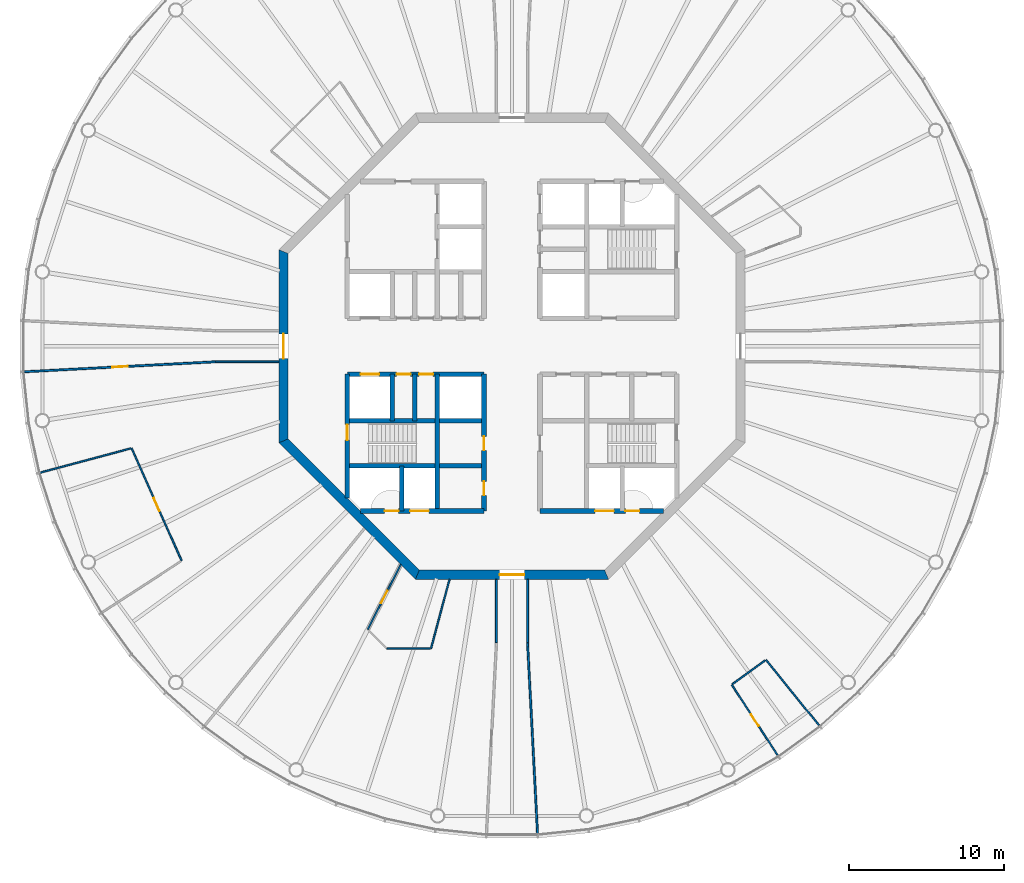
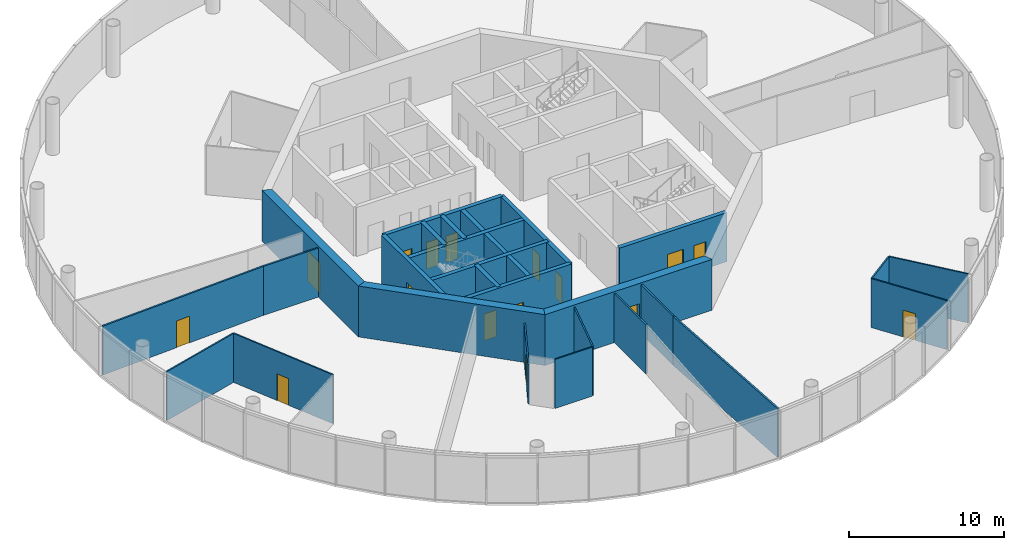
# One storey, part 3 of 13: 27 walls, 16 doors, 16 openings.
"""IFC4 building model written with IfcOpenShell, lengths in metres."""

import ifcopenshell
import ifcopenshell.guid

model = None  # the IFC model being written
_history = None  # IfcOwnerHistory: only IFC2X3 demands one
_inside = {}  # id of a spatial element -> (the spatial element, [elements in it])
_under = {}  # id of a project, library or spatial element -> (it, [spatial elements below it])
_declared = {}  # id of a project -> (the project, [libraries it declares])
_typed = {}  # id of a type object -> (the type object, [elements of that type])
_made_of = {}  # id of a material, layer set ... -> (it, [elements and type objects made of it])


def new_model(schema):
    """Start an empty IFC model of exactly this schema.

    Asked for "IFC4X3", IfcOpenShell would pick the latest addendum, in which some entities
    have other attributes; the version numbers below select the first issue.
    IFC2X3 requires an IfcOwnerHistory on every rooted entity: one is made here for all.
    """
    global model, _history
    if schema == "IFC4X3":
        model = ifcopenshell.file(schema_version=(4, 3, 0, 0))
    else:
        model = ifcopenshell.file(schema=schema)
    _inside.clear()
    _under.clear()
    _declared.clear()
    _typed.clear()
    _made_of.clear()
    _history = None
    if model.schema == "IFC2X3":
        org = make("IfcOrganization", Name="unknown")
        user = make(
            "IfcPersonAndOrganization",
            ThePerson=make("IfcPerson", FamilyName="unknown"),
            TheOrganization=org,
        )
        app = make(
            "IfcApplication",
            ApplicationDeveloper=org,
            Version="unknown",
            ApplicationFullName="unknown",
            ApplicationIdentifier="unknown",
        )
        _history = make(
            "IfcOwnerHistory",
            OwningUser=user,
            OwningApplication=app,
            ChangeAction="ADDED",
            CreationDate=0,
        )
    return model


def make(cls, **values):
    """One entity of the class cls with the attributes given. An attribute that is None is left unset."""
    return model.create_entity(
        cls, **{name: value for name, value in values.items() if value is not None}
    )


def rooted(cls, **values):
    """An entity with a GlobalId (a new one), such as an element, a storey or a relation."""
    return make(cls, GlobalId=ifcopenshell.guid.new(), OwnerHistory=_history, **values)


def si_unit(unit_type, name, prefix=None):
    """IfcSIUnit, for example si_unit("LENGTHUNIT", "METRE", prefix="MILLI")."""
    return make("IfcSIUnit", UnitType=unit_type, Prefix=prefix, Name=name)


def assignment(units):
    """IfcUnitAssignment: the units of a project."""
    return None if units is None else make("IfcUnitAssignment", Units=units)


def point(xyz):
    """IfcCartesianPoint."""
    return None if xyz is None else make("IfcCartesianPoint", Coordinates=xyz)


def direction(xyz):
    """IfcDirection."""
    return None if xyz is None else make("IfcDirection", DirectionRatios=xyz)


def frame(location, z_axis=None, x_axis=None):
    """IfcAxis2Placement3D, a coordinate frame: its origin and axes. An axis left out is left unset."""
    return make(
        "IfcAxis2Placement3D",
        Location=point(location),
        Axis=direction(z_axis),
        RefDirection=direction(x_axis),
    )


def frame_2d(location, x_axis=None):
    """IfcAxis2Placement2D, a coordinate frame in the plane: its origin and x axis."""
    return make(
        "IfcAxis2Placement2D", Location=point(location), RefDirection=direction(x_axis)
    )


def origin():
    """The frame at (0, 0, 0) with its axes left unset."""
    return frame((0.0, 0.0, 0.0))


def place(relative_to, where):
    """IfcLocalPlacement: puts the frame where relative to a parent placement (None: the world)."""
    return make(
        "IfcLocalPlacement", PlacementRelTo=relative_to, RelativePlacement=where
    )


def context(
    kind, dimensions, precision=None, world=None, true_north=None, identifier=None
):
    """IfcGeometricRepresentationContext, for example the 3D "Model" context."""
    return make(
        "IfcGeometricRepresentationContext",
        ContextIdentifier=identifier,
        ContextType=kind,
        CoordinateSpaceDimension=dimensions,
        Precision=precision,
        WorldCoordinateSystem=world,
        TrueNorth=true_north,
    )


def subcontext(parent, identifier, kind, view, scale=None):
    """IfcGeometricRepresentationSubContext, for example "Body" below "Model"."""
    return make(
        "IfcGeometricRepresentationSubContext",
        ContextIdentifier=identifier,
        ContextType=kind,
        ParentContext=parent,
        TargetScale=scale,
        TargetView=view,
    )


def project(units=None, contexts=None):
    """IfcProject with its units and contexts."""
    return rooted(
        "IfcProject",
        Name="project",
        RepresentationContexts=contexts,
        UnitsInContext=assignment(units),
    )


def spatial(cls, under=None, at=None, **own):
    """A site, building, storey or space (cls), placed at a placement, below another one or the project."""
    s = rooted(cls, ObjectPlacement=at, **own)
    if under is not None:
        _under.setdefault(under.id(), (under, []))[1].append(s)
    return s


def polyline(points):
    """IfcPolyline through the points."""
    return make("IfcPolyline", Points=[point(p) for p in points])


def profile(cls, at=None, kind="AREA", **sizes):
    """A parametric profile (cls). Its sizes go by their IFC names, for example OverallWidth=200.0."""
    return make(cls, ProfileType=kind, Position=at, **sizes)


def rectangle(**sizes):
    """IfcRectangleProfileDef."""
    return profile("IfcRectangleProfileDef", **sizes)


def outline(outer, holes=None, kind="AREA"):
    """IfcArbitraryClosedProfileDef: a profile drawn as a closed curve; with holes, ...WithVoids."""
    if holes is None:
        return make("IfcArbitraryClosedProfileDef", ProfileType=kind, OuterCurve=outer)
    return make(
        "IfcArbitraryProfileDefWithVoids",
        ProfileType=kind,
        OuterCurve=outer,
        InnerCurves=holes,
    )


def extrude(swept, where, along, depth):
    """IfcExtrudedAreaSolid: the profile swept, set in the frame where, extruded along a direction by depth."""
    return make(
        "IfcExtrudedAreaSolid",
        SweptArea=swept,
        Position=where,
        ExtrudedDirection=direction(along),
        Depth=depth,
    )


def shape(context_of_items, identifier, shape_type, items):
    """IfcShapeRepresentation: the items that make up one representation, for example the "Body"."""
    return make(
        "IfcShapeRepresentation",
        ContextOfItems=context_of_items,
        RepresentationIdentifier=identifier,
        RepresentationType=shape_type,
        Items=items,
    )


def material(Name=None, Category=None):
    """IfcMaterial."""
    return make("IfcMaterial", Name=Name, Category=Category)


def layer(
    of_material, thickness, ventilated=None, Name=None, Category=None, Priority=None
):
    """IfcMaterialLayer: one layer of a wall or slab, of a material (None: an air gap)."""
    return make(
        "IfcMaterialLayer",
        Material=of_material,
        LayerThickness=thickness,
        IsVentilated=ventilated,
        Name=Name,
        Category=Category,
        Priority=Priority,
    )


def layer_set(layers, Name=None):
    """IfcMaterialLayerSet."""
    return make("IfcMaterialLayerSet", MaterialLayers=layers, LayerSetName=Name)


def made_of(thing, what):
    """Note that an element or type object is made of a material, layer set ...; save() writes the relation."""
    if what is not None:
        _made_of.setdefault(what.id(), (what, []))[1].append(thing)
    return thing


def type_object(cls, material=None, **own):
    """A type object (cls), such as IfcWallType, which elements share."""
    return made_of(rooted(cls, **own), material)


def element(
    cls,
    number,
    at=None,
    inside=None,
    cuts=None,
    type_object=None,
    material=None,
    context=None,
    identifier="Body",
    shape_type=None,
    held_by="IfcProductDefinitionShape",
    body=None,
    shapes=None,
    **own,
):
    """One element of the class cls, such as IfcWall. Its Tag is "e" and its number.

    at: its placement. inside: the storey or other place that contains it. cuts: it is an
    opening in that element (IfcRelVoidsElement). A single representation is given by context,
    identifier, shape_type and body (its items); several are given by shapes. held_by: the class
    of the entity that holds the representations. save() writes the other relations.
    """
    e = rooted(cls, Tag="e%d" % number, ObjectPlacement=at, **own)
    if body is not None:
        shapes = [shape(context, identifier, shape_type, body)]
    if shapes is not None:
        e.Representation = make(held_by, Representations=shapes)
    if inside is not None:
        _inside.setdefault(inside.id(), (inside, []))[1].append(e)
    if cuts is not None:
        rooted(
            "IfcRelVoidsElement", RelatingBuildingElement=cuts, RelatedOpeningElement=e
        )
    if type_object is not None:
        _typed.setdefault(type_object.id(), (type_object, []))[1].append(e)
    return made_of(e, material)


def fill(opening, filler):
    """IfcRelFillsElement: the door or window that sits in an opening."""
    return rooted(
        "IfcRelFillsElement",
        RelatingOpeningElement=opening,
        RelatedBuildingElement=filler,
    )


def aggregate(whole, parts):
    """IfcRelAggregates: a whole, such as a stair, and the parts it consists of."""
    return rooted("IfcRelAggregates", RelatingObject=whole, RelatedObjects=parts)


def save(model, path):
    """Write the relations noted so far, then the file.

    IfcRelAggregates (storeys below a building ...), IfcRelContainedInSpatialStructure (elements
    in a storey), IfcRelDefinesByType, IfcRelAssociatesMaterial and IfcRelDeclares: one each for
    every whole, place, type object, material and project.
    """
    for whole, parts in _under.values():
        aggregate(whole, parts)
    for where, things in _inside.values():
        rooted(
            "IfcRelContainedInSpatialStructure",
            RelatedElements=things,
            RelatingStructure=where,
        )
    for kind, things in _typed.values():
        rooted("IfcRelDefinesByType", RelatedObjects=things, RelatingType=kind)
    for what, things in _made_of.values():
        rooted("IfcRelAssociatesMaterial", RelatedObjects=things, RelatingMaterial=what)
    for by, libraries in _declared.values():
        rooted("IfcRelDeclares", RelatingContext=by, RelatedDefinitions=libraries)
    model.write(path)


model = new_model("IFC4")

# Units and contexts
model_context = context("Model", 3, precision=1e-05, world=origin(), true_north=direction((0.0, 1.0)))
body_context = subcontext(model_context, "Body", "Model", "MODEL_VIEW")
ifc_project = project(units=[si_unit("LENGTHUNIT", "METRE"), si_unit("AREAUNIT", "SQUARE_METRE"), si_unit("VOLUMEUNIT", "CUBIC_METRE"), si_unit("PLANEANGLEUNIT", "RADIAN"), si_unit("MASSUNIT", "GRAM", prefix="KILO")], contexts=[model_context])

# Site, building, storey
site_placement = place(None, origin())
site = spatial("IfcSite", under=ifc_project, at=site_placement, CompositionType="ELEMENT")
building_placement = place(site_placement, origin())
building = spatial("IfcBuilding", under=site, at=building_placement, Name="Entoto Ring Tower", CompositionType="ELEMENT")
storey_placement = place(building_placement, frame((0.0, 0.0, 380.0)))
storey = spatial("IfcBuildingStorey", under=building, at=storey_placement, Name="L88", CompositionType="ELEMENT", Elevation=380.0)

# Wall, openings, doors
ifc_material_1 = material(Name="Concrete C40/50", Category="concrete")
ifc_layer_1 = layer(ifc_material_1, 0.300048828125)
ifc_layer_set_1 = layer_set([ifc_layer_1], Name="Concrete C40/50")
wall_type_1 = type_object("IfcWallType", Name="Core enclosure wall 300 mm reinforced concrete", PredefinedType="SOLIDWALL", material=ifc_layer_set_1)
wall_1_placement = place(storey_placement, frame((88.199951171875, 69.39990234375, 0.0), z_axis=(0.0, 0.0, 1.0), x_axis=(0.0, 1.0, 0.0)))
wall_1 = element("IfcWall", 1, at=wall_1_placement, inside=storey, type_object=wall_type_1, Name="wall-L88-010", PredefinedType="SOLIDWALL", context=body_context, shape_type="SweptSolid", body=[
    extrude(rectangle(XDim=8.800048828125, YDim=0.300048828125, at=frame_2d((4.39990234375, 0.0))), origin(), (0.0, 0.0, 1.0), 3.85009765625),
])
opening_1_placement = place(wall_1_placement, frame((3.89990234375, 0.0, 0.0)))
opening_1 = element("IfcOpeningElement", 2, at=opening_1_placement, cuts=wall_1, Name="Opening K-21", PredefinedType="OPENING", context=body_context, shape_type="SweptSolid", body=[
    extrude(rectangle(XDim=0.89990234375, YDim=2.10009765625, at=frame_2d((0.449951171875, 1.050048828125))), frame((0.0, 0.16015625, 0.0), z_axis=(0.0, -1.0, 0.0), x_axis=(1.0, 0.0, 0.0)), (0.0, 0.0, 1.0), 0.320068359375),
])
opening_2_placement = place(wall_1_placement, frame((1.0, 0.0, 0.0)))
opening_2 = element("IfcOpeningElement", 3, at=opening_2_placement, cuts=wall_1, Name="Opening K-69", PredefinedType="OPENING", context=body_context, shape_type="SweptSolid", body=[
    extrude(rectangle(XDim=0.89990234375, YDim=2.10009765625, at=frame_2d((0.449951171875, 1.050048828125))), frame((0.0, 0.16015625, 0.0), z_axis=(0.0, -1.0, 0.0), x_axis=(1.0, 0.0, 0.0)), (0.0, 0.0, 1.0), 0.320068359375),
])
ifc_material_2 = material(Name="Steel door leaf, fire rated", Category="steel")
ifc_layer_2 = layer(ifc_material_2, 0.050048828125)
ifc_layer_set_2 = layer_set([ifc_layer_2], Name="Steel door leaf, fire rated")
door_type_1 = type_object("IfcDoorType", Name="Core door 900 x 2100 single leaf", OperationType="NOTDEFINED", PredefinedType="DOOR", material=ifc_layer_set_2)
door_1_placement = place(opening_1_placement, origin())
door_1 = element("IfcDoor", 4, at=door_1_placement, inside=storey, type_object=door_type_1, Name="Door K-21", OperationType="SINGLE_SWING_RIGHT", OverallHeight=2.10009765625, OverallWidth=0.89990234375, PredefinedType="DOOR", context=body_context, shape_type="SweptSolid", body=[
    extrude(rectangle(XDim=0.89990234375, YDim=2.10009765625, at=frame_2d((0.449951171875, 1.050048828125))), frame((0.0, 0.02490234375, 0.0), z_axis=(0.0, -1.0, 0.0), x_axis=(1.0, 0.0, 0.0)), (0.0, 0.0, 1.0), 0.050048828125),
])
fill(opening_1, door_1)
door_2_placement = place(opening_2_placement, origin())
door_2 = element("IfcDoor", 5, at=door_2_placement, inside=storey, type_object=door_type_1, Name="Door K-69", OperationType="SINGLE_SWING_RIGHT", OverallHeight=2.10009765625, OverallWidth=0.89990234375, PredefinedType="DOOR", context=body_context, shape_type="SweptSolid", body=[
    extrude(rectangle(XDim=0.89990234375, YDim=2.10009765625, at=frame_2d((0.449951171875, 1.050048828125))), frame((0.0, 0.02490234375, 0.0), z_axis=(0.0, -1.0, 0.0), x_axis=(1.0, 0.0, 0.0)), (0.0, 0.0, 1.0), 0.050048828125),
])
fill(opening_2, door_2)

# Walls
wall_2_placement = place(storey_placement, frame((85.199951171875, 69.39990234375, 0.0), z_axis=(0.0, 0.0, 1.0), x_axis=(0.0, 1.0, 0.0)))
element("IfcWall", 6, at=wall_2_placement, inside=storey, type_object=wall_type_1, Name="wall-L88-013", PredefinedType="SOLIDWALL", context=body_context, shape_type="SweptSolid", body=[
    extrude(rectangle(XDim=8.800048828125, YDim=0.300048828125, at=frame_2d((4.39990234375, 0.0))), origin(), (0.0, 0.0, 1.0), 3.85009765625),
])
wall_3_placement = place(storey_placement, frame((83.75, 75.199951171875, 0.0), z_axis=(0.0, 0.0, 1.0), x_axis=(0.0, 1.0, 0.0)))
element("IfcWall", 7, at=wall_3_placement, inside=storey, type_object=wall_type_1, Name="wall-L88-015", PredefinedType="SOLIDWALL", context=body_context, shape_type="SweptSolid", body=[
    extrude(rectangle(XDim=3.0, YDim=0.300048828125, at=frame_2d((1.5, 0.0))), origin(), (0.0, 0.0, 1.0), 3.85009765625),
])
wall_4_placement = place(storey_placement, frame((82.89990234375, 69.39990234375, 0.0), z_axis=(0.0, 0.0, 1.0), x_axis=(0.0, 1.0, 0.0)))
element("IfcWall", 8, at=wall_4_placement, inside=storey, type_object=wall_type_1, Name="wall-L88-017", PredefinedType="SOLIDWALL", context=body_context, shape_type="SweptSolid", body=[
    extrude(rectangle(XDim=2.900146484375, YDim=0.300048828125, at=frame_2d((1.4501953125, 0.0))), origin(), (0.0, 0.0, 1.0), 3.85009765625),
])
wall_5_placement = place(storey_placement, frame((82.300048828125, 75.199951171875, 0.0), z_axis=(0.0, 0.0, 1.0), x_axis=(0.0, 1.0, 0.0)))
element("IfcWall", 9, at=wall_5_placement, inside=storey, type_object=wall_type_1, Name="wall-L88-018", PredefinedType="SOLIDWALL", context=body_context, shape_type="SweptSolid", body=[
    extrude(rectangle(XDim=3.0, YDim=0.300048828125, at=frame_2d((1.5, 0.0))), origin(), (0.0, 0.0, 1.0), 3.85009765625),
])

# Wall, opening, door
wall_6_placement = place(storey_placement, frame((79.39990234375, 70.2353515625, 0.0), z_axis=(0.0, 0.0, 1.0), x_axis=(0.0, 1.0, 0.0)))
wall_6 = element("IfcWall", 10, at=wall_6_placement, inside=storey, type_object=wall_type_1, Name="wall-L88-020", PredefinedType="SOLIDWALL", context=body_context, shape_type="SweptSolid", body=[
    extrude(rectangle(XDim=7.964599609375, YDim=0.300048828125, at=frame_2d((3.982421875, 0.0))), origin(), (0.0, 0.0, 1.0), 3.85009765625),
])
opening_3_placement = place(wall_6_placement, frame((3.714599609375, 0.0, 0.0)))
opening_3 = element("IfcOpeningElement", 11, at=opening_3_placement, cuts=wall_6, Name="Opening K-27", PredefinedType="OPENING", context=body_context, shape_type="SweptSolid", body=[
    extrude(rectangle(XDim=1.0, YDim=2.10009765625, at=frame_2d((0.5, 1.050048828125))), frame((0.0, 0.16015625, 0.0), z_axis=(0.0, -1.0, 0.0), x_axis=(1.0, 0.0, 0.0)), (0.0, 0.0, 1.0), 0.320068359375),
])
ifc_material_3 = material(Name="Steel door leaf, fire rated", Category="steel")
ifc_layer_3 = layer(ifc_material_3, 0.050048828125)
ifc_layer_set_3 = layer_set([ifc_layer_3], Name="Steel door leaf, fire rated")
door_type_2 = type_object("IfcDoorType", Name="Fire door FD60 1000 x 2100 single leaf", OperationType="NOTDEFINED", PredefinedType="DOOR", material=ifc_layer_set_3)
door_3_placement = place(opening_3_placement, frame((1.0, 0.0, 0.0), z_axis=(0.0, 0.0, 1.0), x_axis=(-1.0, 0.0, 0.0)))
door_3 = element("IfcDoor", 12, at=door_3_placement, inside=storey, type_object=door_type_2, Name="Door K-27", OperationType="SINGLE_SWING_LEFT", OverallHeight=2.10009765625, OverallWidth=1.0, PredefinedType="DOOR", context=body_context, shape_type="SweptSolid", body=[
    extrude(rectangle(XDim=1.0, YDim=2.10009765625, at=frame_2d((0.5, 1.050048828125))), frame((0.0, 0.02490234375, 0.0), z_axis=(0.0, -1.0, 0.0), x_axis=(1.0, 0.0, 0.0)), (0.0, 0.0, 1.0), 0.050048828125),
])
fill(opening_3, door_3)

# Wall, openings, doors
wall_7_placement = place(storey_placement, frame((80.2353515625, 69.39990234375, 0.0), z_axis=(0.0, 0.0, 1.0), x_axis=(1.0, 0.0, 0.0)))
wall_7 = element("IfcWall", 13, at=wall_7_placement, inside=storey, type_object=wall_type_1, Name="wall-L88-022", PredefinedType="SOLIDWALL", context=body_context, shape_type="SweptSolid", body=[
    extrude(rectangle(XDim=7.964599609375, YDim=0.300048828125, at=frame_2d((3.982421875, 0.0))), origin(), (0.0, 0.0, 1.0), 3.85009765625),
])
opening_4_placement = place(wall_7_placement, frame((3.214599609375, 0.0, 0.0)))
opening_4 = element("IfcOpeningElement", 14, at=opening_4_placement, cuts=wall_7, Name="Opening LD", PredefinedType="OPENING", context=body_context, shape_type="SweptSolid", body=[
    extrude(rectangle(XDim=1.199951171875, YDim=2.10009765625, at=frame_2d((0.60009765625, 1.050048828125))), frame((0.0, 0.16015625, 0.0), z_axis=(0.0, -1.0, 0.0), x_axis=(1.0, 0.0, 0.0)), (0.0, 0.0, 1.0), 0.320068359375),
])
opening_5_placement = place(wall_7_placement, frame((1.564697265625, 0.0, 0.0)))
opening_5 = element("IfcOpeningElement", 15, at=opening_5_placement, cuts=wall_7, Name="Opening K-84", PredefinedType="OPENING", context=body_context, shape_type="SweptSolid", body=[
    extrude(rectangle(XDim=0.89990234375, YDim=2.10009765625, at=frame_2d((0.449951171875, 1.050048828125))), frame((0.0, 0.16015625, 0.0), z_axis=(0.0, -1.0, 0.0), x_axis=(1.0, 0.0, 0.0)), (0.0, 0.0, 1.0), 0.320068359375),
])
ifc_material_4 = material(Name="Steel and glass door leaf", Category="steel")
ifc_layer_4 = layer(ifc_material_4, 0.050048828125)
ifc_layer_set_4 = layer_set([ifc_layer_4], Name="Steel and glass door leaf")
door_type_3 = type_object("IfcDoorType", Name="Landing door 1200 x 2100 sliding", OperationType="DOUBLE_DOOR_SLIDING", PredefinedType="DOOR", material=ifc_layer_set_4)
door_4_placement = place(opening_4_placement, origin())
door_4 = element("IfcDoor", 16, at=door_4_placement, inside=storey, type_object=door_type_3, Name="Landing door LB3-HR", OperationType="SLIDING_TO_RIGHT", OverallHeight=2.10009765625, OverallWidth=1.199951171875, PredefinedType="DOOR", context=body_context, shape_type="SweptSolid", body=[
    extrude(rectangle(XDim=1.199951171875, YDim=2.10009765625, at=frame_2d((0.60009765625, 1.050048828125))), frame((0.0, 0.02490234375, 0.0), z_axis=(0.0, -1.0, 0.0), x_axis=(1.0, 0.0, 0.0)), (0.0, 0.0, 1.0), 0.050048828125),
])
fill(opening_4, door_4)
ifc_material_5 = material(Name="Steel door leaf, fire rated", Category="steel")
ifc_layer_5 = layer(ifc_material_5, 0.050048828125)
ifc_layer_set_5 = layer_set([ifc_layer_5], Name="Steel door leaf, fire rated")
door_type_4 = type_object("IfcDoorType", Name="Riser door FD60 900 x 2100 single leaf", OperationType="NOTDEFINED", PredefinedType="DOOR", material=ifc_layer_set_5)
door_5_placement = place(opening_5_placement, origin())
door_5 = element("IfcDoor", 17, at=door_5_placement, inside=storey, type_object=door_type_4, Name="Door K-84", OperationType="SINGLE_SWING_RIGHT", OverallHeight=2.10009765625, OverallWidth=0.89990234375, PredefinedType="DOOR", context=body_context, shape_type="SweptSolid", body=[
    extrude(rectangle(XDim=0.89990234375, YDim=2.10009765625, at=frame_2d((0.449951171875, 1.050048828125))), frame((0.0, 0.02490234375, 0.0), z_axis=(0.0, -1.0, 0.0), x_axis=(1.0, 0.0, 0.0)), (0.0, 0.0, 1.0), 0.050048828125),
])
fill(opening_5, door_5)

wall_8_placement = place(storey_placement, frame((91.800048828125, 69.39990234375, 0.0), z_axis=(0.0, 0.0, 1.0), x_axis=(1.0, 0.0, 0.0)))
wall_8 = element("IfcWall", 18, at=wall_8_placement, inside=storey, type_object=wall_type_1, Name="wall-L88-023", PredefinedType="SOLIDWALL", context=body_context, shape_type="SweptSolid", body=[
    extrude(rectangle(XDim=7.964599609375, YDim=0.300048828125, at=frame_2d((3.982421875, 0.0))), origin(), (0.0, 0.0, 1.0), 3.85009765625),
])
opening_6_placement = place(wall_8_placement, frame((3.550048828125, 0.0, 0.0)))
opening_6 = element("IfcOpeningElement", 19, at=opening_6_placement, cuts=wall_8, Name="Opening LD", PredefinedType="OPENING", context=body_context, shape_type="SweptSolid", body=[
    extrude(rectangle(XDim=1.199951171875, YDim=2.10009765625, at=frame_2d((0.60009765625, 1.050048828125))), frame((0.0, 0.16015625, 0.0), z_axis=(0.0, -1.0, 0.0), x_axis=(1.0, 0.0, 0.0)), (0.0, 0.0, 1.0), 0.320068359375),
])
opening_7_placement = place(wall_8_placement, frame((5.5, 0.0, 0.0)))
opening_7 = element("IfcOpeningElement", 20, at=opening_7_placement, cuts=wall_8, Name="Opening K-85", PredefinedType="OPENING", context=body_context, shape_type="SweptSolid", body=[
    extrude(rectangle(XDim=0.89990234375, YDim=2.10009765625, at=frame_2d((0.449951171875, 1.050048828125))), frame((0.0, 0.16015625, 0.0), z_axis=(0.0, -1.0, 0.0), x_axis=(1.0, 0.0, 0.0)), (0.0, 0.0, 1.0), 0.320068359375),
])
door_6_placement = place(opening_6_placement, origin())
door_6 = element("IfcDoor", 21, at=door_6_placement, inside=storey, type_object=door_type_3, Name="Landing door LB2-HR", OperationType="SLIDING_TO_RIGHT", OverallHeight=2.10009765625, OverallWidth=1.199951171875, PredefinedType="DOOR", context=body_context, shape_type="SweptSolid", body=[
    extrude(rectangle(XDim=1.199951171875, YDim=2.10009765625, at=frame_2d((0.60009765625, 1.050048828125))), frame((0.0, 0.02490234375, 0.0), z_axis=(0.0, -1.0, 0.0), x_axis=(1.0, 0.0, 0.0)), (0.0, 0.0, 1.0), 0.050048828125),
])
fill(opening_6, door_6)
door_7_placement = place(opening_7_placement, origin())
door_7 = element("IfcDoor", 22, at=door_7_placement, inside=storey, type_object=door_type_4, Name="Door K-85", OperationType="SINGLE_SWING_LEFT", OverallHeight=2.10009765625, OverallWidth=0.89990234375, PredefinedType="DOOR", context=body_context, shape_type="SweptSolid", body=[
    extrude(rectangle(XDim=0.89990234375, YDim=2.10009765625, at=frame_2d((0.449951171875, 1.050048828125))), frame((0.0, 0.02490234375, 0.0), z_axis=(0.0, -1.0, 0.0), x_axis=(1.0, 0.0, 0.0)), (0.0, 0.0, 1.0), 0.050048828125),
])
fill(opening_7, door_7)

# Walls
for number, where, z_axis, x_axis, name in (
    (23, (79.39990234375, 72.300048828125, 0.0), (0.0, 0.0, 1.0), (1.0, 0.0, 0.0), "wall-L88-024"),
    (24, (79.39990234375, 75.199951171875, 0.0), (0.0, 0.0, 1.0), (1.0, 0.0, 0.0), "wall-L88-026"),
):
    element("IfcWall", number, at=place(storey_placement, frame(where, z_axis=z_axis, x_axis=x_axis)), inside=storey, type_object=wall_type_1, Name=name, PredefinedType="SOLIDWALL", context=body_context, shape_type="SweptSolid", body=[
        extrude(rectangle(XDim=8.800048828125, YDim=0.300048828125, at=frame_2d((4.39990234375, 0.0))), origin(), (0.0, 0.0, 1.0), 3.85009765625),
    ])

# Wall, openings, doors
wall_9_placement = place(storey_placement, frame((79.39990234375, 78.199951171875, 0.0), z_axis=(0.0, 0.0, 1.0), x_axis=(1.0, 0.0, 0.0)))
wall_9 = element("IfcWall", 25, at=wall_9_placement, inside=storey, type_object=wall_type_1, Name="wall-L88-028", PredefinedType="SOLIDWALL", context=body_context, shape_type="SweptSolid", body=[
    extrude(rectangle(XDim=8.800048828125, YDim=0.300048828125, at=frame_2d((4.39990234375, 0.0))), origin(), (0.0, 0.0, 1.0), 3.85009765625),
])
opening_8_placement = place(wall_9_placement, frame((0.85009765625, 0.0, 0.0)))
opening_8 = element("IfcOpeningElement", 26, at=opening_8_placement, cuts=wall_9, Name="Opening LD", PredefinedType="OPENING", context=body_context, shape_type="SweptSolid", body=[
    extrude(rectangle(XDim=1.199951171875, YDim=2.10009765625, at=frame_2d((0.60009765625, 1.050048828125))), frame((0.0, 0.16015625, 0.0), z_axis=(0.0, -1.0, 0.0), x_axis=(1.0, 0.0, 0.0)), (0.0, 0.0, 1.0), 0.320068359375),
])
opening_9_placement = place(wall_9_placement, frame((3.175048828125, 0.0, 0.0)))
opening_9 = element("IfcOpeningElement", 27, at=opening_9_placement, cuts=wall_9, Name="Opening K-16", PredefinedType="OPENING", context=body_context, shape_type="SweptSolid", body=[
    extrude(rectangle(XDim=0.89990234375, YDim=2.10009765625, at=frame_2d((0.449951171875, 1.050048828125))), frame((0.0, 0.16015625, 0.0), z_axis=(0.0, -1.0, 0.0), x_axis=(1.0, 0.0, 0.0)), (0.0, 0.0, 1.0), 0.320068359375),
])
opening_10_placement = place(wall_9_placement, frame((4.625, 0.0, 0.0)))
opening_10 = element("IfcOpeningElement", 28, at=opening_10_placement, cuts=wall_9, Name="Opening K-57", PredefinedType="OPENING", context=body_context, shape_type="SweptSolid", body=[
    extrude(rectangle(XDim=0.89990234375, YDim=2.10009765625, at=frame_2d((0.449951171875, 1.050048828125))), frame((0.0, 0.16015625, 0.0), z_axis=(0.0, -1.0, 0.0), x_axis=(1.0, 0.0, 0.0)), (0.0, 0.0, 1.0), 0.320068359375),
])
door_8_placement = place(opening_9_placement, frame((0.89990234375, 0.0, 0.0), z_axis=(0.0, 0.0, 1.0), x_axis=(-1.0, 0.0, 0.0)))
door_8 = element("IfcDoor", 29, at=door_8_placement, inside=storey, type_object=door_type_1, Name="Door K-16", OperationType="SINGLE_SWING_LEFT", OverallHeight=2.10009765625, OverallWidth=0.89990234375, PredefinedType="DOOR", context=body_context, shape_type="SweptSolid", body=[
    extrude(rectangle(XDim=0.89990234375, YDim=2.10009765625, at=frame_2d((0.449951171875, 1.050048828125))), frame((0.0, 0.02490234375, 0.0), z_axis=(0.0, -1.0, 0.0), x_axis=(1.0, 0.0, 0.0)), (0.0, 0.0, 1.0), 0.050048828125),
])
fill(opening_9, door_8)
door_9_placement = place(opening_10_placement, frame((0.89990234375, 0.0, 0.0), z_axis=(0.0, 0.0, 1.0), x_axis=(-1.0, 0.0, 0.0)))
door_9 = element("IfcDoor", 30, at=door_9_placement, inside=storey, type_object=door_type_1, Name="Door K-57", OperationType="SINGLE_SWING_LEFT", OverallHeight=2.10009765625, OverallWidth=0.89990234375, PredefinedType="DOOR", context=body_context, shape_type="SweptSolid", body=[
    extrude(rectangle(XDim=0.89990234375, YDim=2.10009765625, at=frame_2d((0.449951171875, 1.050048828125))), frame((0.0, 0.02490234375, 0.0), z_axis=(0.0, -1.0, 0.0), x_axis=(1.0, 0.0, 0.0)), (0.0, 0.0, 1.0), 0.050048828125),
])
fill(opening_10, door_9)
door_10_placement = place(opening_8_placement, origin())
door_10 = element("IfcDoor", 31, at=door_10_placement, inside=storey, type_object=door_type_3, Name="Landing door SH2", OperationType="SLIDING_TO_RIGHT", OverallHeight=2.10009765625, OverallWidth=1.199951171875, PredefinedType="DOOR", context=body_context, shape_type="SweptSolid", body=[
    extrude(rectangle(XDim=1.199951171875, YDim=2.10009765625, at=frame_2d((0.60009765625, 1.050048828125))), frame((0.0, 0.02490234375, 0.0), z_axis=(0.0, -1.0, 0.0), x_axis=(1.0, 0.0, 0.0)), (0.0, 0.0, 1.0), 0.050048828125),
])
fill(opening_8, door_10)

# Wall, opening, door
ifc_material_6 = material(Name="Concrete C40/50", Category="concrete")
ifc_layer_6 = layer(ifc_material_6, 0.60009765625)
ifc_layer_set_6 = layer_set([ifc_layer_6], Name="Concrete C40/50")
wall_type_2 = type_object("IfcWallType", Name="Core shear wall 600 mm reinforced concrete C40/50", PredefinedType="SHEAR", material=ifc_layer_set_6)
wall_10_placement = place(storey_placement, frame((75.300048828125, 86.0888671875, 0.0), z_axis=(0.0, 0.0, 1.0), x_axis=(0.0, -1.0, 0.0)))
wall_10 = element("IfcWall", 32, at=wall_10_placement, inside=storey, type_object=wall_type_2, Name="wall-L88-core-4", PredefinedType="SHEAR", context=body_context, shape_type="SweptSolid", body=[
    extrude(outline(polyline([(-0.124267578125, -0.300048828125), (12.302001953125, -0.300048828125), (12.053466796875, 0.300048828125), (0.124267578125, 0.300048828125), (-0.124267578125, -0.300048828125)])), origin(), (0.0, 0.0, 1.0), 4.0),
])
opening_11_placement = place(wall_10_placement, frame((5.288818359375, 0.0, 0.0)))
opening_11 = element("IfcOpeningElement", 33, at=opening_11_placement, cuts=wall_10, Name="Opening K-03", PredefinedType="OPENING", context=body_context, shape_type="SweptSolid", body=[
    extrude(rectangle(XDim=1.60009765625, YDim=2.39990234375, at=frame_2d((0.800048828125, 1.199951171875))), frame((0.0, 0.31005859375, 0.0), z_axis=(0.0, -1.0, 0.0), x_axis=(1.0, 0.0, 0.0)), (0.0, 0.0, 1.0), 0.6201171875),
])
ifc_material_7 = material(Name="Steel door leaf, fire rated", Category="steel")
ifc_layer_7 = layer(ifc_material_7, 0.050048828125)
ifc_layer_set_7 = layer_set([ifc_layer_7], Name="Steel door leaf, fire rated")
door_type_5 = type_object("IfcDoorType", Name="Entrance door FD60 1600 x 2400 double leaf", OperationType="DOUBLE_DOOR_SINGLE_SWING", PredefinedType="DOOR", material=ifc_layer_set_7)
door_11_placement = place(opening_11_placement, origin())
door_11 = element("IfcDoor", 34, at=door_11_placement, inside=storey, type_object=door_type_5, Name="Entrance door K-03", OperationType="DOUBLE_DOOR_SINGLE_SWING", OverallHeight=2.39990234375, OverallWidth=1.60009765625, PredefinedType="DOOR", context=body_context, shape_type="SweptSolid", body=[
    extrude(rectangle(XDim=1.60009765625, YDim=2.39990234375, at=frame_2d((0.800048828125, 1.199951171875))), frame((0.0, 0.02490234375, 0.0), z_axis=(0.0, -1.0, 0.0), x_axis=(1.0, 0.0, 0.0)), (0.0, 0.0, 1.0), 0.050048828125),
])
fill(opening_11, door_11)

# Wall
wall_11_placement = place(storey_placement, frame((75.300048828125, 73.9111328125, 0.0), z_axis=(0.0, 0.0, 1.0), x_axis=(0.707106781187, -0.707106781187, 0.0)))
element("IfcWall", 35, at=wall_11_placement, inside=storey, type_object=wall_type_2, Name="wall-L88-core-5", PredefinedType="SHEAR", context=body_context, shape_type="SweptSolid", body=[
    extrude(outline(polyline([(-0.124267578125, -0.300048828125), (12.30224609375, -0.300048828125), (12.0537109375, 0.300048828125), (0.124267578125, 0.300048828125), (-0.124267578125, -0.300048828125)])), origin(), (0.0, 0.0, 1.0), 4.0),
])

# Wall, opening, door
wall_12_placement = place(storey_placement, frame((83.9111328125, 65.300048828125, 0.0), z_axis=(0.0, 0.0, 1.0), x_axis=(1.0, 0.0, 0.0)))
wall_12 = element("IfcWall", 36, at=wall_12_placement, inside=storey, type_object=wall_type_2, Name="wall-L88-core-6", PredefinedType="SHEAR", context=body_context, shape_type="SweptSolid", body=[
    extrude(outline(polyline([(-0.124267578125, -0.300048828125), (12.302001953125, -0.300048828125), (12.053466796875, 0.300048828125), (0.124267578125, 0.300048828125), (-0.124267578125, -0.300048828125)])), origin(), (0.0, 0.0, 1.0), 4.0),
])
opening_12_placement = place(wall_12_placement, frame((5.288818359375, 0.0, 0.0)))
opening_12 = element("IfcOpeningElement", 37, at=opening_12_placement, cuts=wall_12, Name="Opening K-04", PredefinedType="OPENING", context=body_context, shape_type="SweptSolid", body=[
    extrude(rectangle(XDim=1.60009765625, YDim=2.39990234375, at=frame_2d((0.800048828125, 1.199951171875))), frame((0.0, 0.31005859375, 0.0), z_axis=(0.0, -1.0, 0.0), x_axis=(1.0, 0.0, 0.0)), (0.0, 0.0, 1.0), 0.6201171875),
])
door_12_placement = place(opening_12_placement, origin())
door_12 = element("IfcDoor", 38, at=door_12_placement, inside=storey, type_object=door_type_5, Name="Entrance door K-04", OperationType="DOUBLE_DOOR_SINGLE_SWING", OverallHeight=2.39990234375, OverallWidth=1.60009765625, PredefinedType="DOOR", context=body_context, shape_type="SweptSolid", body=[
    extrude(rectangle(XDim=1.60009765625, YDim=2.39990234375, at=frame_2d((0.800048828125, 1.199951171875))), frame((0.0, 0.02490234375, 0.0), z_axis=(0.0, -1.0, 0.0), x_axis=(1.0, 0.0, 0.0)), (0.0, 0.0, 1.0), 0.050048828125),
])
fill(opening_12, door_12)

ifc_material_8 = material(Name="Fire-resisting plasterboard on steel studs", Category="steel")
ifc_layer_8 = layer(ifc_material_8, 0.125)
ifc_layer_set_8 = layer_set([ifc_layer_8], Name="Fire-resisting plasterboard on steel studs")
wall_type_3 = type_object("IfcWallType", Name="Corridor wall 125 mm one-hour plasterboard on steel studs", PredefinedType="PARTITIONING", material=ifc_layer_set_8)
wall_13_placement = place(storey_placement, frame((58.60302734375, 78.3544921875, 0.0), z_axis=(0.0, 0.0, 1.0), x_axis=(0.998629289366, 0.052340638328, 0.0)))
wall_13 = element("IfcWall", 39, at=wall_13_placement, inside=storey, type_object=wall_type_3, Name="partition-L88-001", PredefinedType="PARTITIONING", context=body_context, shape_type="SweptSolid", body=[
    extrude(rectangle(XDim=12.332763671875, YDim=0.125, at=frame_2d((6.16650390625, 0.0))), origin(), (0.0, 0.0, 1.0), 3.85009765625),
])
opening_13_placement = place(wall_13_placement, frame((5.666259765625, 0.0, 0.0)))
opening_13 = element("IfcOpeningElement", 40, at=opening_13_placement, cuts=wall_13, Name="Opening A37-D06", PredefinedType="OPENING", context=body_context, shape_type="SweptSolid", body=[
    extrude(rectangle(XDim=1.0, YDim=2.10009765625, at=frame_2d((0.5, 1.050048828125))), frame((0.0, 0.072509765625, 0.0), z_axis=(0.0, -1.0, 0.0), x_axis=(1.0, 0.0, 0.0)), (0.0, 0.0, 1.0), 0.14501953125),
])
ifc_material_9 = material(Name="Fire-resisting timber door set", Category="wood")
door_type_6 = type_object("IfcDoorType", Name="Door 1000 x 2100 single leaf FD30S fire door", OperationType="NOTDEFINED", PredefinedType="DOOR", material=ifc_material_9)
door_13_placement = place(opening_13_placement, frame((1.0, 0.0, 0.0), z_axis=(0.0, 0.0, 1.0), x_axis=(-1.0, 0.0, 0.0)))
door_13 = element("IfcDoor", 41, at=door_13_placement, inside=storey, type_object=door_type_6, Name="Door A37-D06", OperationType="SINGLE_SWING_RIGHT", OverallHeight=2.10009765625, OverallWidth=1.0, PredefinedType="DOOR", context=body_context, shape_type="SweptSolid", body=[
    extrude(rectangle(XDim=1.0, YDim=2.10009765625, at=frame_2d((0.5, 1.050048828125))), frame((0.0, 0.02490234375, 0.0), z_axis=(0.0, -1.0, 0.0), x_axis=(1.0, 0.0, 0.0)), (0.0, 0.0, 1.0), 0.050048828125),
])
fill(opening_13, door_13)

# Walls
wall_14_placement = place(storey_placement, frame((91.6455078125, 48.60302734375, 0.0), z_axis=(0.0, 0.0, 1.0), x_axis=(-0.052340638328, 0.998629289366, 0.0)))
element("IfcWall", 42, at=wall_14_placement, inside=storey, type_object=wall_type_3, Name="partition-L88-006", PredefinedType="PARTITIONING", context=body_context, shape_type="SweptSolid", body=[
    extrude(rectangle(XDim=12.332763671875, YDim=0.125, at=frame_2d((6.16650390625, 0.0))), origin(), (0.0, 0.0, 1.0), 3.85009765625),
])
for number, where, z_axis, x_axis, name in (
    (43, (70.922119140625, 79.0, 0.0), (0.0, 0.0, 1.0), (1.0, 0.0, 0.0), "partition-L88-009"),
    (44, (89.0, 60.922119140625, 0.0), (0.0, 0.0, 1.0), (0.0, 1.0, 0.0), "partition-L88-011"),
    (45, (91.0, 60.922119140625, 0.0), (0.0, 0.0, 1.0), (0.0, 1.0, 0.0), "partition-L88-013"),
):
    element("IfcWall", number, at=place(storey_placement, frame(where, z_axis=z_axis, x_axis=x_axis)), inside=storey, type_object=wall_type_3, Name=name, PredefinedType="PARTITIONING", context=body_context, shape_type="SweptSolid", body=[
        extrude(rectangle(XDim=4.077880859375, YDim=0.125, at=frame_2d((2.0390625, 0.0))), origin(), (0.0, 0.0, 1.0), 3.85009765625),
    ])

# Wall, opening, door
ifc_material_10 = material(Name="Plasterboard on steel studs", Category="steel")
ifc_layer_9 = layer(ifc_material_10, 0.10009765625)
ifc_layer_set_9 = layer_set([ifc_layer_9], Name="Plasterboard on steel studs")
wall_type_4 = type_object("IfcWallType", Name="Partition 100 mm plasterboard on steel studs", PredefinedType="PARTITIONING", material=ifc_layer_set_9)
wall_15_placement = place(storey_placement, frame((68.73974609375, 66.193359375, 0.0), z_axis=(0.0, 0.0, 1.0), x_axis=(-0.406723877258, 0.913551141244, 0.0)))
wall_15 = element("IfcWall", 46, at=wall_15_placement, inside=storey, type_object=wall_type_4, Name="partition-L88-019", PredefinedType="PARTITIONING", context=body_context, shape_type="SweptSolid", body=[
    extrude(rectangle(XDim=7.93115234375, YDim=0.10009765625, at=frame_2d((3.965576171875, 0.0))), origin(), (0.0, 0.0, 1.0), 3.85009765625),
])
opening_14_placement = place(wall_15_placement, frame((3.515625, 0.0, 0.0)))
opening_14 = element("IfcOpeningElement", 47, at=opening_14_placement, cuts=wall_15, Name="Opening A37-D07", PredefinedType="OPENING", context=body_context, shape_type="SweptSolid", body=[
    extrude(rectangle(XDim=0.89990234375, YDim=2.10009765625, at=frame_2d((0.449951171875, 1.050048828125))), frame((0.0, 0.06005859375, 0.0), z_axis=(0.0, -1.0, 0.0), x_axis=(1.0, 0.0, 0.0)), (0.0, 0.0, 1.0), 0.1201171875),
])
ifc_material_11 = material(Name="Veneered timber door leaf in timber frame", Category="wood")
door_type_7 = type_object("IfcDoorType", Name="Door 900 x 2100 single leaf timber veneer", OperationType="NOTDEFINED", PredefinedType="DOOR", material=ifc_material_11)
door_14_placement = place(opening_14_placement, origin())
door_14 = element("IfcDoor", 48, at=door_14_placement, inside=storey, type_object=door_type_7, Name="Door A37-D07", OperationType="SINGLE_SWING_LEFT", OverallHeight=2.10009765625, OverallWidth=0.89990234375, PredefinedType="DOOR", context=body_context, shape_type="SweptSolid", body=[
    extrude(rectangle(XDim=0.89990234375, YDim=2.10009765625, at=frame_2d((0.449951171875, 1.050048828125))), frame((0.0, 0.02490234375, 0.0), z_axis=(0.0, -1.0, 0.0), x_axis=(1.0, 0.0, 0.0)), (0.0, 0.0, 1.0), 0.050048828125),
])
fill(opening_14, door_14)

# Wall
wall_16_placement = place(storey_placement, frame((59.63134765625, 71.86279296875, 0.0), z_axis=(0.0, 0.0, 1.0), x_axis=(0.965925681795, 0.258819584361, 0.0)))
element("IfcWall", 49, at=wall_16_placement, inside=storey, type_object=wall_type_4, Name="partition-L88-022", PredefinedType="PARTITIONING", context=body_context, shape_type="SweptSolid", body=[
    extrude(rectangle(XDim=6.040771484375, YDim=0.10009765625, at=frame_2d((3.0205078125, 0.0))), origin(), (0.0, 0.0, 1.0), 3.85009765625),
])

# Wall, opening, door
wall_17_placement = place(storey_placement, frame((107.12353515625, 53.632080078125, 0.0), z_axis=(0.0, 0.0, 1.0), x_axis=(-0.544638467322, 0.838670936609, 0.0)))
wall_17 = element("IfcWall", 50, at=wall_17_placement, inside=storey, type_object=wall_type_4, Name="partition-L88-023", PredefinedType="PARTITIONING", context=body_context, shape_type="SweptSolid", body=[
    extrude(rectangle(XDim=5.47021484375, YDim=0.10009765625, at=frame_2d((2.735107421875, 0.0))), origin(), (0.0, 0.0, 1.0), 3.85009765625),
])
opening_15_placement = place(wall_17_placement, frame((2.284912109375, 0.0, 0.0)))
opening_15 = element("IfcOpeningElement", 51, at=opening_15_placement, cuts=wall_17, Name="Opening A37-D11", PredefinedType="OPENING", context=body_context, shape_type="SweptSolid", body=[
    extrude(rectangle(XDim=0.89990234375, YDim=2.10009765625, at=frame_2d((0.449951171875, 1.050048828125))), frame((0.0, 0.06005859375, 0.0), z_axis=(0.0, -1.0, 0.0), x_axis=(1.0, 0.0, 0.0)), (0.0, 0.0, 1.0), 0.1201171875),
])
door_15_placement = place(opening_15_placement, frame((0.89990234375, 0.0, 0.0), z_axis=(0.0, 0.0, 1.0), x_axis=(-1.0, 0.0, 0.0)))
door_15 = element("IfcDoor", 52, at=door_15_placement, inside=storey, type_object=door_type_7, Name="Door A37-D11", OperationType="SINGLE_SWING_RIGHT", OverallHeight=2.10009765625, OverallWidth=0.89990234375, PredefinedType="DOOR", context=body_context, shape_type="SweptSolid", body=[
    extrude(rectangle(XDim=0.89990234375, YDim=2.10009765625, at=frame_2d((0.449951171875, 1.050048828125))), frame((0.0, 0.02490234375, 0.0), z_axis=(0.0, -1.0, 0.0), x_axis=(1.0, 0.0, 0.0)), (0.0, 0.0, 1.0), 0.050048828125),
])
fill(opening_15, door_15)

# Walls
wall_18_placement = place(storey_placement, frame((109.785888671875, 55.56640625, 0.0), z_axis=(0.0, 0.0, 1.0), x_axis=(-0.629321480457, 0.777145079271, 0.0)))
element("IfcWall", 53, at=wall_18_placement, inside=storey, type_object=wall_type_4, Name="partition-L88-024", PredefinedType="PARTITIONING", context=body_context, shape_type="SweptSolid", body=[
    extrude(rectangle(XDim=5.469970703125, YDim=0.10009765625, at=frame_2d((2.73486328125, 0.0))), origin(), (0.0, 0.0, 1.0), 3.85009765625),
])
wall_19_placement = place(storey_placement, frame((84.788330078125, 60.550048828125, 0.0), z_axis=(0.0, 0.0, 1.0), x_axis=(0.25882349852, 0.965924632989, 0.0)))
element("IfcWall", 54, at=wall_19_placement, inside=storey, type_object=wall_type_4, Name="partition-L88-028", PredefinedType="PARTITIONING", context=body_context, shape_type="SweptSolid", body=[
    extrude(rectangle(XDim=4.60693359375, YDim=0.10009765625, at=frame_2d((2.303466796875, 0.0))), origin(), (0.0, 0.0, 1.0), 3.85009765625),
])
wall_20_placement = place(storey_placement, frame((81.943603515625, 60.550048828125, 0.0), z_axis=(0.0, 0.0, 1.0), x_axis=(1.0, 0.0, 0.0)))
element("IfcWall", 55, at=wall_20_placement, inside=storey, type_object=wall_type_4, Name="partition-L88-032", PredefinedType="PARTITIONING", context=body_context, shape_type="SweptSolid", body=[
    extrude(rectangle(XDim=2.796630859375, YDim=0.10009765625, at=frame_2d((1.3984375, 0.0))), origin(), (0.0, 0.0, 1.0), 3.85009765625),
])
wall_21_placement = place(storey_placement, frame((104.184814453125, 58.2490234375, 0.0), z_axis=(0.0, 0.0, 1.0), x_axis=(0.808994068442, 0.587816805839, 0.0)))
element("IfcWall", 56, at=wall_21_placement, inside=storey, type_object=wall_type_4, Name="partition-L88-033", PredefinedType="PARTITIONING", context=body_context, shape_type="SweptSolid", body=[
    extrude(rectangle(XDim=2.6181640625, YDim=0.10009765625, at=frame_2d((1.30908203125, 0.0))), origin(), (0.0, 0.0, 1.0), 3.85009765625),
])

# Wall, opening, door
ifc_material_12 = material(Name="Plasterboard on steel studs", Category="steel")
ifc_layer_10 = layer(ifc_material_12, 0.10009765625)
ifc_layer_set_10 = layer_set([ifc_layer_10], Name="Plasterboard on steel studs")
wall_type_5 = type_object("IfcWallType", Name="Partition 100 mm plasterboard on steel studs, 3097 mm high", PredefinedType="PARTITIONING", material=ifc_layer_set_10)
wall_22_placement = place(storey_placement, frame((80.715576171875, 61.778076171875, 0.0), z_axis=(0.0, 0.0, 1.0), x_axis=(0.453963300839, 0.891020382198, 0.0)))
wall_22 = element("IfcWall", 57, at=wall_22_placement, inside=storey, type_object=wall_type_5, Name="partition-L88-027", PredefinedType="PARTITIONING", context=body_context, shape_type="SweptSolid", body=[
    extrude(rectangle(XDim=4.678955078125, YDim=0.10009765625, at=frame_2d((2.33935546875, 0.0))), origin(), (0.0, 0.0, 1.0), 3.096923828125),
])
opening_16_placement = place(wall_22_placement, frame((1.889404296875, 0.0, 0.0)))
opening_16 = element("IfcOpeningElement", 58, at=opening_16_placement, cuts=wall_22, Name="Opening A37-D09", PredefinedType="OPENING", context=body_context, shape_type="SweptSolid", body=[
    extrude(rectangle(XDim=0.89990234375, YDim=2.10009765625, at=frame_2d((0.449951171875, 1.050048828125))), frame((0.0, 0.06005859375, 0.0), z_axis=(0.0, -1.0, 0.0), x_axis=(1.0, 0.0, 0.0)), (0.0, 0.0, 1.0), 0.1201171875),
])
door_16_placement = place(opening_16_placement, frame((0.89990234375, 0.0, 0.0), z_axis=(0.0, 0.0, 1.0), x_axis=(-1.0, 0.0, 0.0)))
door_16 = element("IfcDoor", 59, at=door_16_placement, inside=storey, type_object=door_type_7, Name="Door A37-D09", OperationType="SINGLE_SWING_LEFT", OverallHeight=2.10009765625, OverallWidth=0.89990234375, PredefinedType="DOOR", context=body_context, shape_type="SweptSolid", body=[
    extrude(rectangle(XDim=0.89990234375, YDim=2.10009765625, at=frame_2d((0.449951171875, 1.050048828125))), frame((0.0, 0.02490234375, 0.0), z_axis=(0.0, -1.0, 0.0), x_axis=(1.0, 0.0, 0.0)), (0.0, 0.0, 1.0), 0.050048828125),
])
fill(opening_16, door_16)

save(model, "model.ifc")
